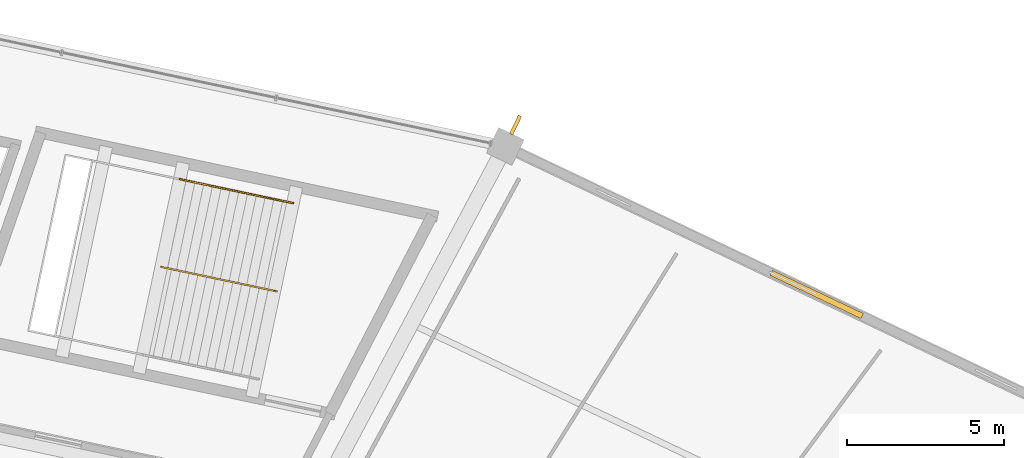
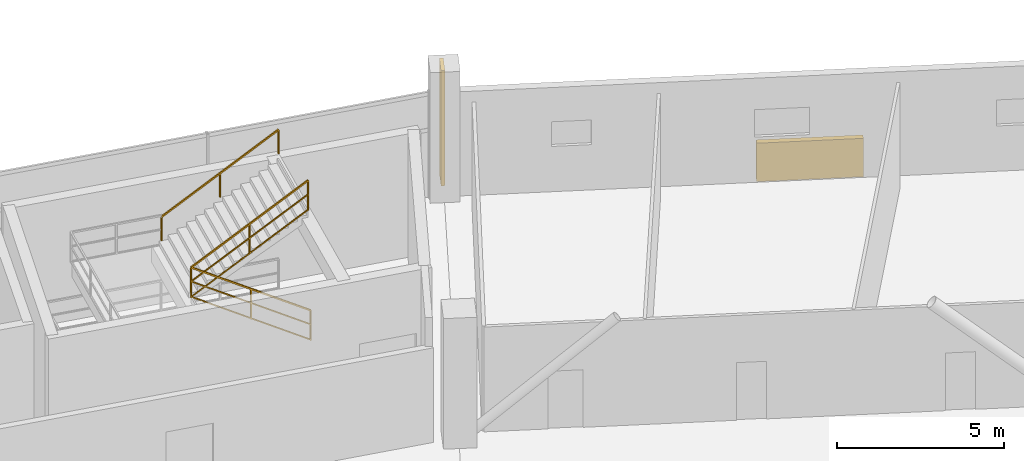
# One storey, part 156 of 156: 2 railings, 2 shading devices.
"""IFC4 building model written with IfcOpenShell, lengths in metres."""

from ifc_helpers import new_model, si_unit, direction, frame, origin, origin_2d, place, context, subcontext, project, spatial, rectangle, extrude, material, type_object, element, save


model = new_model("IFC4")

# Units and contexts
model_context = context("Model", 3, precision=1e-05, world=origin(), true_north=direction((0.0, 1.0)))
body_context = subcontext(model_context, "Body", "Model", "MODEL_VIEW")
ifc_project = project(units=[si_unit("LENGTHUNIT", "METRE"), si_unit("AREAUNIT", "SQUARE_METRE"), si_unit("VOLUMEUNIT", "CUBIC_METRE"), si_unit("PLANEANGLEUNIT", "RADIAN"), si_unit("MASSUNIT", "GRAM", prefix="KILO")], contexts=[model_context])

# Site, building, storey
site_placement = place(None, origin())
site = spatial("IfcSite", under=ifc_project, at=site_placement, CompositionType="ELEMENT")
building_placement = place(site_placement, origin())
building = spatial("IfcBuilding", under=site, at=building_placement, Name="Kazemori Nagisa Stadium", CompositionType="ELEMENT")
storey_placement = place(building_placement, frame((0.0, 0.0, 5.780029296875)))
storey = spatial("IfcBuildingStorey", under=building, at=storey_placement, Name="L01", CompositionType="ELEMENT", Elevation=5.780029296875)

# Shading devices
ifc_material_1 = material(Name="Aluminium 6063-T5 anodised", Category="aluminium")
shading_device_type_1 = type_object("IfcShadingDeviceType", Name="Fin_FN01", PredefinedType="USERDEFINED", material=ifc_material_1)
shading_device_1_placement = place(storey_placement, frame((166.13232421875, 183.14453125, 0.0), z_axis=(0.0, 0.0, 1.0), x_axis=(0.433883739113, 0.900968867905, 0.0)))
element("IfcShadingDevice", 1, at=shading_device_1_placement, inside=storey, type_object=shading_device_type_1, Name="Aerodynamic wave shading fin L01-06", ObjectType="FIN", PredefinedType="USERDEFINED", context=body_context, shape_type="SweptSolid", body=[
    extrude(rectangle(XDim=0.64990234375, YDim=0.1201171875, at=origin_2d()), origin(), (0.0, 0.0, 1.0), 4.199951171875),
])
shading_device_type_2 = type_object("IfcShadingDeviceType", Name="Louvre_LV01", PredefinedType="JALOUSIE", material=ifc_material_1)
shading_device_2_placement = place(storey_placement, frame((175.701416015625, 177.76171875, -0.010009765625), z_axis=(0.0, 0.0, 1.0), x_axis=(-0.903215892654, 0.429186499388, 0.0)))
element("IfcShadingDevice", 2, at=shading_device_2_placement, inside=storey, type_object=shading_device_type_2, Name="Concourse ventilation louvre L01-B05", PredefinedType="JALOUSIE", context=body_context, shape_type="SweptSolid", body=[
    extrude(rectangle(XDim=3.199951171875, YDim=0.179931640625, at=origin_2d()), origin(), (0.0, 0.0, 1.0), 1.39990234375),
])

# Railings
ifc_material_2 = material(Name="Galvanised powder-coated steel", Category="steel")
railing_type_1 = type_object("IfcRailingType", Name="Rail_GUARD", PredefinedType="GUARDRAIL", material=ifc_material_2)
railing_1_placement = place(storey_placement, frame((158.546875, 177.858154296875, 0.0)))
element("IfcRailing", 3, at=railing_1_placement, inside=storey, type_object=railing_type_1, Name="Stair central guard ST11-L01", PredefinedType="GUARDRAIL", context=body_context, shape_type="SweptSolid", body=[
    extrude(rectangle(XDim=0.050048828125, YDim=0.050048828125, at=origin_2d()), frame((0.0, 0.0, 1.09521484375), z_axis=(-0.82634227025, 0.174857033859, 0.535334913963), x_axis=(-0.207019627691, -0.978336789531, 0.0)), (0.0, 0.0, 1.0), 4.445556640625),
    extrude(rectangle(XDim=0.03759765625, YDim=0.03759765625, at=origin_2d()), frame((0.0, 0.0, 0.58251953125), z_axis=(-0.82634227025, 0.174857033859, 0.535334913963), x_axis=(-0.207019627691, -0.978336789531, 0.0)), (0.0, 0.0, 1.0), 4.445556640625),
    extrude(rectangle(XDim=0.03759765625, YDim=0.03759765625, at=origin_2d()), frame((0.0, 0.0, 0.02490234375), z_axis=(-0.82634227025, 0.174857033859, 0.535334913963), x_axis=(-0.207019627691, -0.978336789531, 0.0)), (0.0, 0.0, 1.0), 4.445556640625),
    extrude(rectangle(XDim=0.050048828125, YDim=0.050048828125, at=origin_2d()), frame((-3.673583984375, 0.77734375, 3.47509765625), z_axis=(0.821166634604, -0.173745856823, 0.54359703407), x_axis=(0.207001389366, 0.97834064865, 0.0)), (0.0, 0.0, 1.0), 4.37841796875),
    extrude(rectangle(XDim=0.03759765625, YDim=0.03759765625, at=origin_2d()), frame((-3.673583984375, 0.77734375, 2.96240234375), z_axis=(0.821166634604, -0.173745856823, 0.54359703407), x_axis=(0.207001389366, 0.97834064865, 0.0)), (0.0, 0.0, 1.0), 4.37841796875),
    extrude(rectangle(XDim=0.03759765625, YDim=0.03759765625, at=origin_2d()), frame((-3.673583984375, 0.77734375, 2.40478515625), z_axis=(0.821166634604, -0.173745856823, 0.54359703407), x_axis=(0.207001389366, 0.97834064865, 0.0)), (0.0, 0.0, 1.0), 4.37841796875),
    extrude(rectangle(XDim=0.044921875, YDim=0.044921875, at=origin_2d()), origin(), (0.0, 0.0, 1.0), 1.070068359375),
    extrude(rectangle(XDim=0.044921875, YDim=0.044921875, at=origin_2d()), frame((-1.8369140625, 0.388671875, 1.18994140625)), (0.0, 0.0, 1.0), 1.070068359375),
    extrude(rectangle(XDim=0.044921875, YDim=0.044921875, at=origin_2d()), frame((-3.673583984375, 0.77734375, 2.3798828125)), (0.0, 0.0, 1.0), 1.070068359375),
    extrude(rectangle(XDim=0.044921875, YDim=0.044921875, at=origin_2d()), frame((-1.8759765625, 0.39697265625, 3.56982421875)), (0.0, 0.0, 1.0), 1.070068359375),
    extrude(rectangle(XDim=0.044921875, YDim=0.044921875, at=origin_2d()), frame((-0.078125, 0.0166015625, 4.760009765625)), (0.0, 0.0, 1.0), 1.070068359375),
])
ifc_material_3 = material(Name="Stainless steel SUS304", Category="steel")
railing_type_2 = type_object("IfcRailingType", Name="Rail_HAND", PredefinedType="HANDRAIL", material=ifc_material_3)
railing_2_placement = place(storey_placement, frame((155.463134765625, 181.423828125, 2.550048828125)))
element("IfcRailing", 4, at=railing_2_placement, inside=storey, type_object=railing_type_2, Name="Stair handrail ST11-L01-F2", PredefinedType="HANDRAIL", context=body_context, shape_type="SweptSolid", body=[
    extrude(rectangle(XDim=0.050048828125, YDim=0.050048828125, at=origin_2d()), frame((0.0, 0.0, 0.875), z_axis=(0.821191524487, -0.173751123128, 0.543557749759), x_axis=(0.207001389366, 0.97834064865, 0.0)), (0.0, 0.0, 1.0), 4.37841796875),
    extrude(rectangle(XDim=0.044921875, YDim=0.044921875, at=origin_2d()), origin(), (0.0, 0.0, 1.0), 0.849853515625),
    extrude(rectangle(XDim=0.044921875, YDim=0.044921875, at=origin_2d()), frame((1.7978515625, -0.38037109375, 1.18994140625)), (0.0, 0.0, 1.0), 0.849853515625),
    extrude(rectangle(XDim=0.044921875, YDim=0.044921875, at=origin_2d()), frame((3.595458984375, -0.7607421875, 2.3798828125)), (0.0, 0.0, 1.0), 0.849853515625),
])

save(model, "model.ifc")
